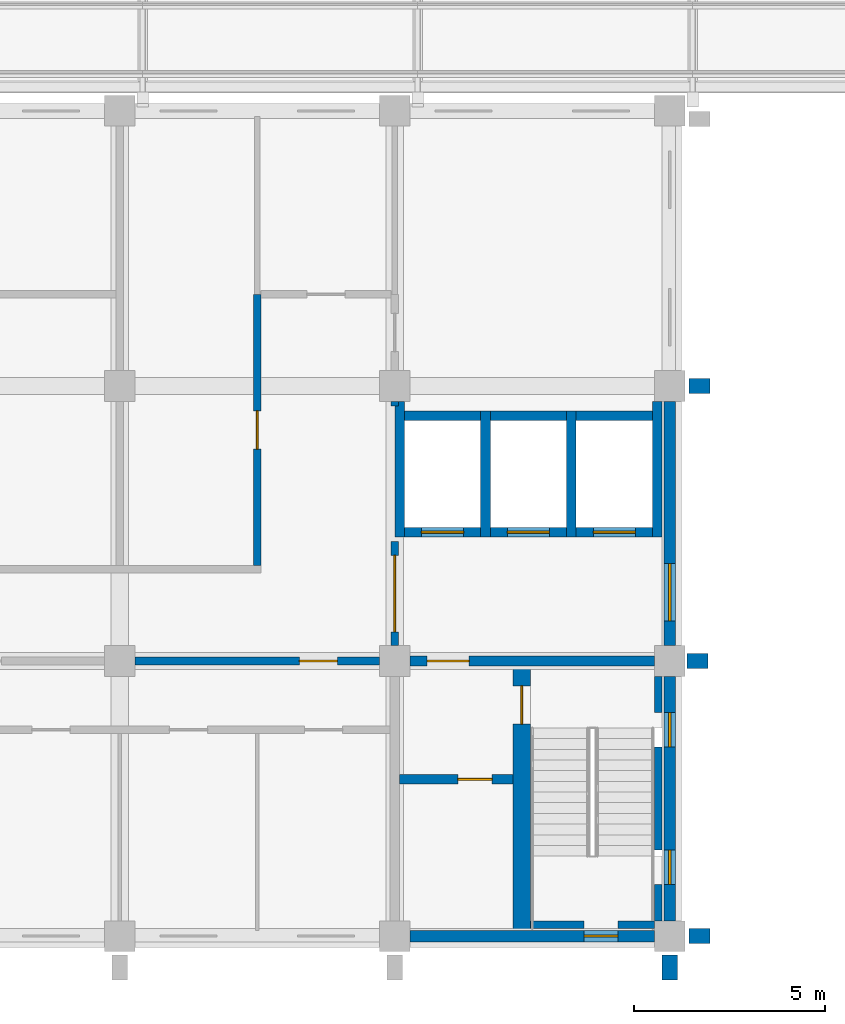
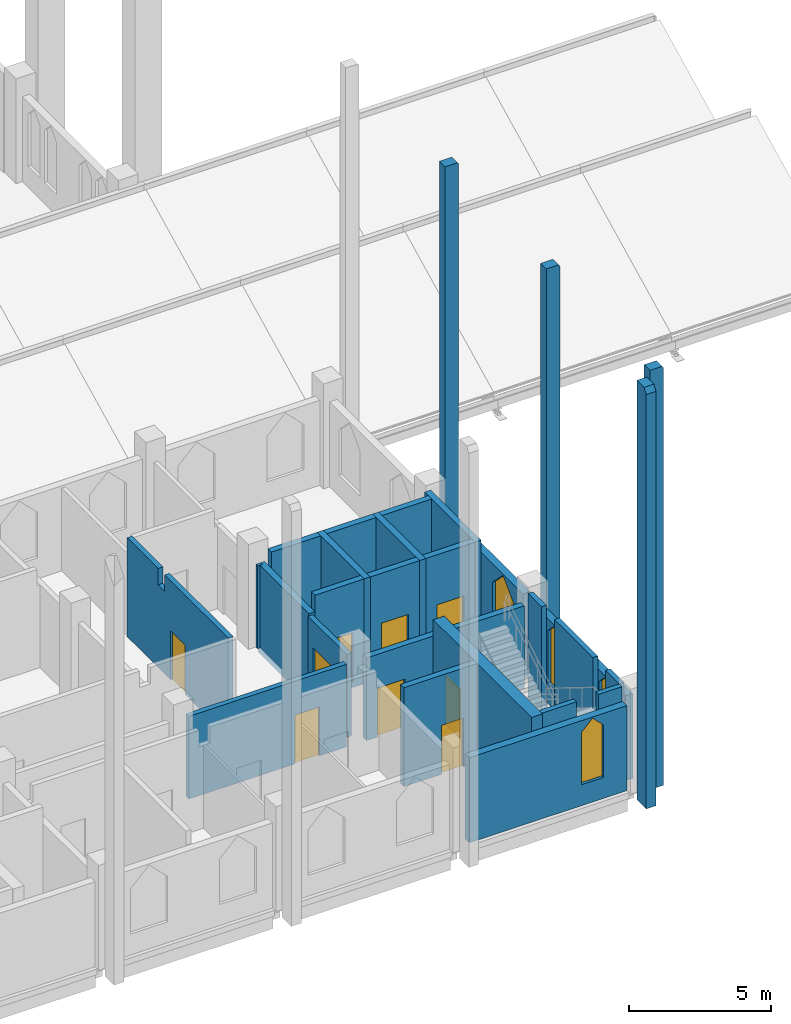
# One storey, part 19 of 29: 29 walls, 9 doors, 4 windows, 13 openings.
"""IFC4 building model written with IfcOpenShell, lengths in metres."""

from ifc_helpers import new_model, si_unit, direction, frame, frame_2d, origin, place, context, subcontext, project, spatial, polyline, rectangle, outline, extrude, material, layer, layer_set, type_object, element, fill, save


model = new_model("IFC4")

# Units and contexts
model_context = context("Model", 3, precision=1e-05, world=origin(), true_north=direction((0.0, 1.0)))
body_context = subcontext(model_context, "Body", "Model", "MODEL_VIEW")
ifc_project = project(units=[si_unit("LENGTHUNIT", "METRE"), si_unit("AREAUNIT", "SQUARE_METRE"), si_unit("VOLUMEUNIT", "CUBIC_METRE"), si_unit("PLANEANGLEUNIT", "RADIAN"), si_unit("MASSUNIT", "GRAM", prefix="KILO")], contexts=[model_context])

# Site, building, storey
site_placement = place(None, origin())
site = spatial("IfcSite", under=ifc_project, at=site_placement, CompositionType="ELEMENT")
building_placement = place(site_placement, origin())
building = spatial("IfcBuilding", under=site, at=building_placement, Name="Silangan Lancet Faculty of Sciences", CompositionType="ELEMENT")
storey_placement = place(building_placement, frame((0.0, 0.0, 40.800048828125)))
storey = spatial("IfcBuildingStorey", under=building, at=storey_placement, Name="L08", CompositionType="ELEMENT", Elevation=40.800048828125)

# Wall, opening, window
ifc_material_1 = material(Name="Concrete C40/50 precast", Category="concrete")
ifc_layer_1 = layer(ifc_material_1, 0.300048828125)
ifc_layer_set_1 = layer_set([ifc_layer_1], Name="Concrete C40/50 precast")
wall_type_1 = type_object("IfcWallType", Name="EW1 Precast cladding wall", PredefinedType="STANDARD", material=ifc_layer_set_1)
wall_1_placement = place(storey_placement, frame((28.800048828125, 7.60009765625, 0.0), z_axis=(0.0, 0.0, 1.0), x_axis=(0.0, 1.0, 0.0)))
wall_1 = element("IfcWall", 1, at=wall_1_placement, inside=storey, type_object=wall_type_1, Name="EW-L08-E-ST-01", PredefinedType="STANDARD", context=body_context, shape_type="SweptSolid", body=[
    extrude(rectangle(XDim=6.39990234375, YDim=0.300048828125, at=frame_2d((3.199951171875, 0.0))), origin(), (0.0, 0.0, 1.0), 3.64990234375),
])
opening_1_placement = place(wall_1_placement, frame((0.64990234375, 0.0, 0.89990234375)))
opening_1 = element("IfcOpeningElement", 2, at=opening_1_placement, cuts=wall_1, Name="Opening W23", PredefinedType="OPENING", context=body_context, shape_type="SweptSolid", body=[
    extrude(outline(polyline([(0.0, 0.0), (1.5, 0.0), (1.5, 1.949951171875), (0.75, 2.699951171875), (0.0, 1.949951171875), (0.0, 0.0)])), frame((0.0, 0.159912109375, 0.0), z_axis=(0.0, -1.0, 0.0), x_axis=(1.0, 0.0, 0.0)), (0.0, 0.0, 1.0), 0.320068359375),
])
ifc_material_2 = material(Name="Aluminium frame, laminated double glazing", Category="aluminium")
window_type_1 = type_object("IfcWindowType", Name="W23 Lancet window 1500 x 2700", PartitioningType="SINGLE_PANEL", PredefinedType="WINDOW", material=ifc_material_2)
window_1_placement = place(opening_1_placement, origin())
window_1 = element("IfcWindow", 3, at=window_1_placement, inside=storey, type_object=window_type_1, Name="WIN-L08-E-ST-01a", OverallHeight=2.699951171875, OverallWidth=1.5, PartitioningType="SINGLE_PANEL", PredefinedType="WINDOW", context=body_context, shape_type="SweptSolid", body=[
    extrude(outline(polyline([(0.0, 0.0), (1.5, 0.0), (1.5, 1.949951171875), (0.75, 2.699951171875), (0.0, 1.949951171875), (0.0, 0.0)])), frame((0.0, 0.030029296875, 0.0), z_axis=(0.0, -1.0, 0.0), x_axis=(1.0, 0.0, 0.0)), (0.0, 0.0, 1.0), 0.06005859375),
])
fill(opening_1, window_1)

ifc_material_3 = material(Name="Concrete C40/50 precast", Category="concrete")
ifc_layer_2 = layer(ifc_material_3, 0.300048828125)
ifc_layer_set_2 = layer_set([ifc_layer_2], Name="Concrete C40/50 precast")
wall_type_2 = type_object("IfcWallType", Name="EW2 Turret enclosure wall", PredefinedType="STANDARD", material=ifc_layer_set_2)
wall_2_placement = place(storey_placement, frame((22.0, 0.0, 0.0), z_axis=(0.0, 0.0, 1.0), x_axis=(1.0, 0.0, 0.0)))
wall_2 = element("IfcWall", 4, at=wall_2_placement, inside=storey, type_object=wall_type_2, Name="EW-L08-S-ST-03", PredefinedType="STANDARD", context=body_context, shape_type="SweptSolid", body=[
    extrude(rectangle(XDim=6.39990234375, YDim=0.300048828125, at=frame_2d((3.199951171875, 0.0))), origin(), (0.0, 0.0, 1.0), 3.64990234375),
])
opening_2_placement = place(wall_2_placement, frame((4.550048828125, 0.0, 0.89990234375)))
opening_2 = element("IfcOpeningElement", 5, at=opening_2_placement, cuts=wall_2, Name="Opening W22", PredefinedType="OPENING", context=body_context, shape_type="SweptSolid", body=[
    extrude(outline(polyline([(0.0, 0.0), (0.89990234375, 0.0), (0.89990234375, 2.25), (0.449951171875, 2.699951171875), (0.0, 2.25), (0.0, 0.0)])), frame((0.0, 0.159912109375, 0.0), z_axis=(0.0, -1.0, 0.0), x_axis=(1.0, 0.0, 0.0)), (0.0, 0.0, 1.0), 0.320068359375),
])
ifc_material_4 = material(Name="Aluminium frame, laminated double glazing", Category="aluminium")
window_type_2 = type_object("IfcWindowType", Name="W22 Lancet window 900 x 2700", PartitioningType="SINGLE_PANEL", PredefinedType="WINDOW", material=ifc_material_4)
window_2_placement = place(opening_2_placement, origin())
window_2 = element("IfcWindow", 6, at=window_2_placement, inside=storey, type_object=window_type_2, Name="WIN-L08-S-ST-03b", OverallHeight=2.699951171875, OverallWidth=0.89990234375, PartitioningType="SINGLE_PANEL", PredefinedType="WINDOW", context=body_context, shape_type="SweptSolid", body=[
    extrude(outline(polyline([(0.0, 0.0), (0.89990234375, 0.0), (0.89990234375, 2.25), (0.449951171875, 2.699951171875), (0.0, 2.25), (0.0, 0.0)])), frame((0.0, 0.030029296875, 0.0), z_axis=(0.0, -1.0, 0.0), x_axis=(1.0, 0.0, 0.0)), (0.0, 0.0, 1.0), 0.06005859375),
])
fill(opening_2, window_2)

# Wall, openings, windows
wall_3_placement = place(storey_placement, frame((28.800048828125, 0.39990234375, 0.0), z_axis=(0.0, 0.0, 1.0), x_axis=(0.0, 1.0, 0.0)))
wall_3 = element("IfcWall", 7, at=wall_3_placement, inside=storey, type_object=wall_type_2, Name="EW-L08-E-ST-00", PredefinedType="STANDARD", context=body_context, shape_type="SweptSolid", body=[
    extrude(rectangle(XDim=6.400146484375, YDim=0.300048828125, at=frame_2d((3.2001953125, 0.0))), origin(), (0.0, 0.0, 1.0), 3.64990234375),
])
opening_3_placement = place(wall_3_placement, frame((0.949951171875, 0.0, 0.89990234375)))
opening_3 = element("IfcOpeningElement", 8, at=opening_3_placement, cuts=wall_3, Name="Opening W22", PredefinedType="OPENING", context=body_context, shape_type="SweptSolid", body=[
    extrude(outline(polyline([(0.0, 0.0), (0.89990234375, 0.0), (0.89990234375, 2.25), (0.449951171875, 2.699951171875), (0.0, 2.25), (0.0, 0.0)])), frame((0.0, 0.159912109375, 0.0), z_axis=(0.0, -1.0, 0.0), x_axis=(1.0, 0.0, 0.0)), (0.0, 0.0, 1.0), 0.320068359375),
])
opening_4_placement = place(wall_3_placement, frame((4.550048828125, 0.0, 0.89990234375)))
opening_4 = element("IfcOpeningElement", 9, at=opening_4_placement, cuts=wall_3, Name="Opening W22", PredefinedType="OPENING", context=body_context, shape_type="SweptSolid", body=[
    extrude(outline(polyline([(0.0, 0.0), (0.89990234375, 0.0), (0.89990234375, 2.25), (0.449951171875, 2.699951171875), (0.0, 2.25), (0.0, 0.0)])), frame((0.0, 0.159912109375, 0.0), z_axis=(0.0, -1.0, 0.0), x_axis=(1.0, 0.0, 0.0)), (0.0, 0.0, 1.0), 0.320068359375),
])
window_3_placement = place(opening_3_placement, origin())
window_3 = element("IfcWindow", 10, at=window_3_placement, inside=storey, type_object=window_type_2, Name="WIN-L08-E-ST-00a", OverallHeight=2.699951171875, OverallWidth=0.89990234375, PartitioningType="SINGLE_PANEL", PredefinedType="WINDOW", context=body_context, shape_type="SweptSolid", body=[
    extrude(outline(polyline([(0.0, 0.0), (0.89990234375, 0.0), (0.89990234375, 2.25), (0.449951171875, 2.699951171875), (0.0, 2.25), (0.0, 0.0)])), frame((0.0, 0.030029296875, 0.0), z_axis=(0.0, -1.0, 0.0), x_axis=(1.0, 0.0, 0.0)), (0.0, 0.0, 1.0), 0.06005859375),
])
fill(opening_3, window_3)
window_4_placement = place(opening_4_placement, origin())
window_4 = element("IfcWindow", 11, at=window_4_placement, inside=storey, type_object=window_type_2, Name="WIN-L08-E-ST-00b", OverallHeight=2.699951171875, OverallWidth=0.89990234375, PartitioningType="SINGLE_PANEL", PredefinedType="WINDOW", context=body_context, shape_type="SweptSolid", body=[
    extrude(outline(polyline([(0.0, 0.0), (0.89990234375, 0.0), (0.89990234375, 2.25), (0.449951171875, 2.699951171875), (0.0, 2.25), (0.0, 0.0)])), frame((0.0, 0.030029296875, 0.0), z_axis=(0.0, -1.0, 0.0), x_axis=(1.0, 0.0, 0.0)), (0.0, 0.0, 1.0), 0.06005859375),
])
fill(opening_4, window_4)

# Walls
ifc_material_5 = material(Name="Concrete C40/50 precast", Category="concrete")
ifc_layer_3 = layer(ifc_material_5, 0.39990234375)
ifc_layer_set_3 = layer_set([ifc_layer_3], Name="Concrete C40/50 precast")
wall_type_3 = type_object("IfcWallType", Name="FN12 Buttress Fin column line stage 3 18000", PredefinedType="POLYGONAL", material=ifc_layer_set_3)
wall_4_placement = place(storey_placement, frame((28.800048828125, -0.5, -0.25), z_axis=(0.0, 0.0, 1.0), x_axis=(0.0, -1.0, 0.0)))
element("IfcWall", 12, at=wall_4_placement, inside=storey, type_object=wall_type_3, Name="FINC-S-SAB-01-S3", PredefinedType="POLYGONAL", context=body_context, shape_type="SweptSolid", body=[
    extrude(outline(polyline([(0.64990234375, 0.0), (0.64990234375, 17.77490234375), (0.5, 18.0), (0.0, 18.0), (0.0, 0.0), (0.64990234375, 0.0)])), frame((0.0, 0.199951171875, 0.0), z_axis=(0.0, -1.0, 0.0), x_axis=(1.0, 0.0, 0.0)), (0.0, 0.0, 1.0), 0.39990234375),
])
ifc_material_6 = material(Name="Concrete C40/50 precast", Category="concrete")
ifc_layer_4 = layer(ifc_material_6, 0.39990234375)
ifc_layer_set_4 = layer_set([ifc_layer_4], Name="Concrete C40/50 precast")
wall_type_4 = type_object("IfcWallType", Name="FN37 Buttress Fin column line stage 3 18000", PredefinedType="POLYGONAL", material=ifc_layer_set_4)
for number, where, z_axis, x_axis, name in (
    (13, (29.300048828125, 0.0, -0.25), (0.0, 0.0, 1.0), (1.0, 0.0, 0.0), "FINC-E-ST-01-S3"),
    (14, (29.300048828125, 14.39990234375, -0.25), (0.0, 0.0, 1.0), (1.0, 0.0, 0.0), "FINC-E-ST-03-S3"),
):
    element("IfcWall", number, at=place(storey_placement, frame(where, z_axis=z_axis, x_axis=x_axis)), inside=storey, type_object=wall_type_4, Name=name, PredefinedType="POLYGONAL", context=body_context, shape_type="SweptSolid", body=[
        extrude(outline(polyline([(0.550048828125, 0.0), (0.550048828125, 17.925048828125), (0.5, 18.0), (0.0, 18.0), (0.0, 0.0), (0.550048828125, 0.0)])), frame((0.0, 0.199951171875, 0.0), z_axis=(0.0, -1.0, 0.0), x_axis=(1.0, 0.0, 0.0)), (0.0, 0.0, 1.0), 0.39990234375),
    ])
ifc_material_7 = material(Name="Concrete C40/50 precast", Category="concrete")
ifc_layer_5 = layer(ifc_material_7, 0.39990234375)
ifc_layer_set_5 = layer_set([ifc_layer_5], Name="Concrete C40/50 precast")
wall_type_5 = type_object("IfcWallType", Name="FN40 Buttress Fin column line stage 3 18000", PredefinedType="POLYGONAL", material=ifc_layer_set_5)
wall_5_placement = place(storey_placement, frame((29.25, 7.199951171875, -0.25), z_axis=(0.0, 0.0, 1.0), x_axis=(1.0, 0.0, 0.0)))
element("IfcWall", 15, at=wall_5_placement, inside=storey, type_object=wall_type_5, Name="FINC-E-ST-02-S3", PredefinedType="POLYGONAL", context=body_context, shape_type="SweptSolid", body=[
    extrude(outline(polyline([(0.550048828125, 0.0), (0.550048828125, 17.925048828125), (0.5, 18.0), (0.0, 18.0), (0.0, 0.0), (0.550048828125, 0.0)])), frame((0.0, 0.199951171875, 0.0), z_axis=(0.0, -1.0, 0.0), x_axis=(1.0, 0.0, 0.0)), (0.0, 0.0, 1.0), 0.39990234375),
])

# Wall, opening, door
ifc_material_8 = material(Name="Hollow block masonry fm 7 MPa", Category="masonry")
ifc_layer_6 = layer(ifc_material_8, 0.199951171875)
ifc_layer_set_6 = layer_set([ifc_layer_6], Name="Hollow block masonry fm 7 MPa")
wall_type_6 = type_object("IfcWallType", Name="Interior wall PW1 Corridor wall CHB 200", PredefinedType="PARTITIONING", material=ifc_layer_set_6)
wall_6_placement = place(storey_placement, frame((14.800048828125, 7.199951171875, 0.0), z_axis=(0.0, 0.0, 1.0), x_axis=(1.0, 0.0, 0.0)))
wall_6 = element("IfcWall", 16, at=wall_6_placement, inside=storey, type_object=wall_type_6, Name="Corridor wall CHB 200", PredefinedType="PARTITIONING", context=body_context, shape_type="SweptSolid", body=[
    extrude(rectangle(XDim=6.39990234375, YDim=0.199951171875, at=frame_2d((3.199951171875, 0.0))), origin(), (0.0, 0.0, 1.0), 3.550048828125),
])
opening_5_placement = place(wall_6_placement, frame((4.300048828125, 0.0, 0.0)))
opening_5 = element("IfcOpeningElement", 17, at=opening_5_placement, cuts=wall_6, Name="Opening L08-003", PredefinedType="OPENING", context=body_context, shape_type="SweptSolid", body=[
    extrude(rectangle(XDim=1.0, YDim=2.10009765625, at=frame_2d((0.5, 1.050048828125))), frame((0.0, 0.10986328125, 0.0), z_axis=(0.0, -1.0, 0.0), x_axis=(1.0, 0.0, 0.0)), (0.0, 0.0, 1.0), 0.219970703125),
])
ifc_material_9 = material(Name="Steel fire door set", Category="steel")
door_type_1 = type_object("IfcDoorType", Name="Door D1 Single leaf fire door 1000 x 2100", OperationType="SINGLE_SWING_LEFT", PredefinedType="DOOR", material=ifc_material_9)
door_1_placement = place(opening_5_placement, frame((1.0, 0.0, 0.0), z_axis=(0.0, 0.0, 1.0), x_axis=(-1.0, 0.0, 0.0)))
door_1 = element("IfcDoor", 18, at=door_1_placement, inside=storey, type_object=door_type_1, Name="Single leaf fire door 1000 x 2100", OperationType="SINGLE_SWING_LEFT", OverallHeight=2.10009765625, OverallWidth=1.0, PredefinedType="DOOR", context=body_context, shape_type="SweptSolid", body=[
    extrude(rectangle(XDim=1.0, YDim=2.10009765625, at=frame_2d((0.5, 1.050048828125))), frame((0.0, 0.025146484375, 0.0), z_axis=(0.0, -1.0, 0.0), x_axis=(1.0, 0.0, 0.0)), (0.0, 0.0, 1.0), 0.050048828125),
])
fill(opening_5, door_1)

wall_7_placement = place(storey_placement, frame((18.0, 9.699951171875, 0.0), z_axis=(0.0, 0.0, 1.0), x_axis=(0.0, 1.0, 0.0)))
wall_7 = element("IfcWall", 19, at=wall_7_placement, inside=storey, type_object=wall_type_6, Name="Corridor wall CHB 200", PredefinedType="PARTITIONING", context=body_context, shape_type="SweptSolid", body=[
    extrude(outline(polyline([(0.0, 0.0), (7.10009765625, 0.0), (7.10009765625, 4.25), (4.925048828125, 4.25), (4.925048828125, 3.550048828125), (4.47509765625, 3.550048828125), (4.47509765625, 4.25), (0.0, 4.25), (0.0, 0.0)])), frame((0.0, 0.10009765625, 0.0), z_axis=(0.0, -1.0, 0.0), x_axis=(1.0, 0.0, 0.0)), (0.0, 0.0, 1.0), 0.199951171875),
])
opening_6_placement = place(wall_7_placement, frame((3.050048828125, 0.0, 0.0)))
opening_6 = element("IfcOpeningElement", 20, at=opening_6_placement, cuts=wall_7, Name="Opening L08-017", PredefinedType="OPENING", context=body_context, shape_type="SweptSolid", body=[
    extrude(rectangle(XDim=1.0, YDim=2.10009765625, at=frame_2d((0.5, 1.050048828125))), frame((0.0, 0.10986328125, 0.0), z_axis=(0.0, -1.0, 0.0), x_axis=(1.0, 0.0, 0.0)), (0.0, 0.0, 1.0), 0.219970703125),
])
door_2_placement = place(opening_6_placement, origin())
door_2 = element("IfcDoor", 21, at=door_2_placement, inside=storey, type_object=door_type_1, Name="Single leaf fire door 1000 x 2100", OperationType="SINGLE_SWING_RIGHT", OverallHeight=2.10009765625, OverallWidth=1.0, PredefinedType="DOOR", context=body_context, shape_type="SweptSolid", body=[
    extrude(rectangle(XDim=1.0, YDim=2.10009765625, at=frame_2d((0.5, 1.050048828125))), frame((0.0, 0.02490234375, 0.0), z_axis=(0.0, -1.0, 0.0), x_axis=(1.0, 0.0, 0.0)), (0.0, 0.0, 1.0), 0.050048828125),
])
fill(opening_6, door_2)

# Wall
wall_8_placement = place(storey_placement, frame((21.60009765625, 13.875, 0.0), z_axis=(0.0, 0.0, 1.0), x_axis=(0.0, 1.0, 0.0)))
element("IfcWall", 22, at=wall_8_placement, inside=storey, type_object=wall_type_6, Name="Corridor wall CHB 200", PredefinedType="PARTITIONING", context=body_context, shape_type="SweptSolid", body=[
    extrude(rectangle(XDim=0.125, YDim=0.199951171875, at=frame_2d((0.0625, 0.0))), origin(), (0.0, 0.0, 1.0), 3.550048828125),
])

# Wall, opening, door
ifc_material_10 = material(Name="Hollow block masonry fm 7 MPa", Category="masonry")
ifc_layer_7 = layer(ifc_material_10, 0.199951171875)
ifc_layer_set_7 = layer_set([ifc_layer_7], Name="Hollow block masonry fm 7 MPa")
wall_type_7 = type_object("IfcWallType", Name="Interior wall PW9 Lift lobby wall CHB 200", PredefinedType="PARTITIONING", material=ifc_layer_set_7)
wall_9_placement = place(storey_placement, frame((21.60009765625, 7.60009765625, 0.0), z_axis=(0.0, 0.0, 1.0), x_axis=(0.0, 1.0, 0.0)))
wall_9 = element("IfcWall", 23, at=wall_9_placement, inside=storey, type_object=wall_type_7, Name="Lift lobby wall CHB 200", PredefinedType="PARTITIONING", context=body_context, shape_type="SweptSolid", body=[
    extrude(rectangle(XDim=2.724853515625, YDim=0.199951171875, at=frame_2d((1.3623046875, 0.0))), origin(), (0.0, 0.0, 1.0), 3.550048828125),
])
opening_7_placement = place(wall_9_placement, frame((0.3623046875, 0.0, 0.0)))
opening_7 = element("IfcOpeningElement", 24, at=opening_7_placement, cuts=wall_9, Name="Opening L08-001", PredefinedType="OPENING", context=body_context, shape_type="SweptSolid", body=[
    extrude(rectangle(XDim=2.0, YDim=2.39990234375, at=frame_2d((1.0, 1.199951171875))), frame((0.0, 0.10986328125, 0.0), z_axis=(0.0, -1.0, 0.0), x_axis=(1.0, 0.0, 0.0)), (0.0, 0.0, 1.0), 0.219970703125),
])
ifc_material_11 = material(Name="Steel fire door set", Category="steel")
door_type_2 = type_object("IfcDoorType", Name="Door D5 Lift lobby double fire door 2000 x 2400", OperationType="DOUBLE_DOOR_SINGLE_SWING", PredefinedType="DOOR", material=ifc_material_11)
door_3_placement = place(opening_7_placement, origin())
door_3 = element("IfcDoor", 25, at=door_3_placement, inside=storey, type_object=door_type_2, Name="Lift lobby double fire door 2000 x 2400", OperationType="DOUBLE_DOOR_SINGLE_SWING", OverallHeight=2.39990234375, OverallWidth=2.0, PredefinedType="DOOR", context=body_context, shape_type="SweptSolid", body=[
    extrude(rectangle(XDim=2.0, YDim=2.39990234375, at=frame_2d((1.0, 1.199951171875))), frame((0.0, 0.02490234375, 0.0), z_axis=(0.0, -1.0, 0.0), x_axis=(1.0, 0.0, 0.0)), (0.0, 0.0, 1.0), 0.050048828125),
])
fill(opening_7, door_3)

# Walls
ifc_material_12 = material(Name="Concrete C40/50", Category="concrete")
ifc_layer_8 = layer(ifc_material_12, 0.25)
ifc_layer_set_8 = layer_set([ifc_layer_8], Name="Concrete C40/50")
wall_type_8 = type_object("IfcWallType", Name="LIFT SHAFT WALL RC 250", PredefinedType="SHEAR", material=ifc_layer_set_8)
wall_10_placement = place(storey_placement, frame((21.72509765625, 10.449951171875, -0.25), z_axis=(0.0, 0.0, 1.0), x_axis=(0.0, 1.0, 0.0)))
element("IfcWall", 26, at=wall_10_placement, inside=storey, type_object=wall_type_8, Name="WALL-L08-ST-SW1", PredefinedType="SHEAR", context=body_context, shape_type="SweptSolid", body=[
    extrude(rectangle(XDim=3.550048828125, YDim=0.25, at=frame_2d((1.77490234375, 0.0))), origin(), (0.0, 0.0, 1.0), 3.800048828125),
])
for number, where, z_axis, x_axis, name in (
    (27, (23.97509765625, 10.449951171875, -0.25), (0.0, 0.0, 1.0), (0.0, 1.0, 0.0), "WALL-L08-ST-SW2"),
    (28, (26.22509765625, 10.449951171875, -0.25), (0.0, 0.0, 1.0), (0.0, 1.0, 0.0), "WALL-L08-ST-SW3"),
):
    element("IfcWall", number, at=place(storey_placement, frame(where, z_axis=z_axis, x_axis=x_axis)), inside=storey, type_object=wall_type_8, Name=name, PredefinedType="SHEAR", context=body_context, shape_type="SweptSolid", body=[
        extrude(rectangle(XDim=3.300048828125, YDim=0.25, at=frame_2d((1.64990234375, 0.0))), origin(), (0.0, 0.0, 1.0), 4.5),
    ])
wall_11_placement = place(storey_placement, frame((28.47509765625, 10.449951171875, -0.25), z_axis=(0.0, 0.0, 1.0), x_axis=(0.0, 1.0, 0.0)))
element("IfcWall", 29, at=wall_11_placement, inside=storey, type_object=wall_type_8, Name="WALL-L08-ST-SW4", PredefinedType="SHEAR", context=body_context, shape_type="SweptSolid", body=[
    extrude(rectangle(XDim=3.550048828125, YDim=0.25, at=frame_2d((1.77490234375, 0.0))), origin(), (0.0, 0.0, 1.0), 4.5),
])

# Wall, opening, door
wall_12_placement = place(storey_placement, frame((21.85009765625, 10.574951171875, -0.25), z_axis=(0.0, 0.0, 1.0), x_axis=(1.0, 0.0, 0.0)))
wall_12 = element("IfcWall", 30, at=wall_12_placement, inside=storey, type_object=wall_type_8, Name="WALL-L08-ST-L1-F", PredefinedType="SHEAR", context=body_context, shape_type="SweptSolid", body=[
    extrude(rectangle(XDim=2.0, YDim=0.25, at=frame_2d((1.0, 0.0))), origin(), (0.0, 0.0, 1.0), 4.5),
])
opening_8_placement = place(wall_12_placement, frame((0.449951171875, 0.0, 0.25)))
opening_8 = element("IfcOpeningElement", 31, at=opening_8_placement, cuts=wall_12, Name="Opening L08-804", PredefinedType="OPENING", context=body_context, shape_type="SweptSolid", body=[
    extrude(rectangle(XDim=1.10009765625, YDim=2.10009765625, at=frame_2d((0.550048828125, 1.050048828125))), frame((0.0, 0.135009765625, 0.0), z_axis=(0.0, -1.0, 0.0), x_axis=(1.0, 0.0, 0.0)), (0.0, 0.0, 1.0), 0.27001953125),
])
ifc_material_13 = material(Name="Stainless steel sliding door", Category="steel")
door_type_3 = type_object("IfcDoorType", Name="LD1 Lift landing door 1100x2100", OperationType="SLIDING_TO_LEFT", PredefinedType="DOOR", material=ifc_material_13)
door_4_placement = place(opening_8_placement, origin())
door_4 = element("IfcDoor", 32, at=door_4_placement, inside=storey, type_object=door_type_3, Name="Landing door ST-L1 L08", OperationType="SLIDING_TO_LEFT", OverallHeight=2.10009765625, OverallWidth=1.10009765625, PredefinedType="DOOR", context=body_context, shape_type="SweptSolid", body=[
    extrude(rectangle(XDim=1.10009765625, YDim=2.10009765625, at=frame_2d((0.550048828125, 1.050048828125))), frame((0.0, 0.02490234375, 0.0), z_axis=(0.0, -1.0, 0.0), x_axis=(1.0, 0.0, 0.0)), (0.0, 0.0, 1.0), 0.050048828125),
])
fill(opening_8, door_4)

# Wall
wall_13_placement = place(storey_placement, frame((21.85009765625, 13.625, -0.25), z_axis=(0.0, 0.0, 1.0), x_axis=(1.0, 0.0, 0.0)))
element("IfcWall", 33, at=wall_13_placement, inside=storey, type_object=wall_type_8, Name="WALL-L08-ST-L1-B", PredefinedType="SHEAR", context=body_context, shape_type="SweptSolid", body=[
    extrude(rectangle(XDim=2.0, YDim=0.25, at=frame_2d((1.0, 0.0))), origin(), (0.0, 0.0, 1.0), 4.5),
])

# Wall, opening, door
wall_14_placement = place(storey_placement, frame((24.10009765625, 10.574951171875, -0.25), z_axis=(0.0, 0.0, 1.0), x_axis=(1.0, 0.0, 0.0)))
wall_14 = element("IfcWall", 34, at=wall_14_placement, inside=storey, type_object=wall_type_8, Name="WALL-L08-ST-L2-F", PredefinedType="SHEAR", context=body_context, shape_type="SweptSolid", body=[
    extrude(rectangle(XDim=2.0, YDim=0.25, at=frame_2d((1.0, 0.0))), origin(), (0.0, 0.0, 1.0), 4.5),
])
opening_9_placement = place(wall_14_placement, frame((0.449951171875, 0.0, 0.25)))
opening_9 = element("IfcOpeningElement", 35, at=opening_9_placement, cuts=wall_14, Name="Opening L08-805", PredefinedType="OPENING", context=body_context, shape_type="SweptSolid", body=[
    extrude(rectangle(XDim=1.10009765625, YDim=2.10009765625, at=frame_2d((0.550048828125, 1.050048828125))), frame((0.0, 0.135009765625, 0.0), z_axis=(0.0, -1.0, 0.0), x_axis=(1.0, 0.0, 0.0)), (0.0, 0.0, 1.0), 0.27001953125),
])
door_5_placement = place(opening_9_placement, origin())
door_5 = element("IfcDoor", 36, at=door_5_placement, inside=storey, type_object=door_type_3, Name="Landing door ST-L2 L08", OperationType="SLIDING_TO_LEFT", OverallHeight=2.10009765625, OverallWidth=1.10009765625, PredefinedType="DOOR", context=body_context, shape_type="SweptSolid", body=[
    extrude(rectangle(XDim=1.10009765625, YDim=2.10009765625, at=frame_2d((0.550048828125, 1.050048828125))), frame((0.0, 0.02490234375, 0.0), z_axis=(0.0, -1.0, 0.0), x_axis=(1.0, 0.0, 0.0)), (0.0, 0.0, 1.0), 0.050048828125),
])
fill(opening_9, door_5)

# Wall
wall_15_placement = place(storey_placement, frame((24.10009765625, 13.625, -0.25), z_axis=(0.0, 0.0, 1.0), x_axis=(1.0, 0.0, 0.0)))
element("IfcWall", 37, at=wall_15_placement, inside=storey, type_object=wall_type_8, Name="WALL-L08-ST-L2-B", PredefinedType="SHEAR", context=body_context, shape_type="SweptSolid", body=[
    extrude(rectangle(XDim=2.0, YDim=0.25, at=frame_2d((1.0, 0.0))), origin(), (0.0, 0.0, 1.0), 4.5),
])

# Wall, opening, door
wall_16_placement = place(storey_placement, frame((26.35009765625, 10.574951171875, -0.25), z_axis=(0.0, 0.0, 1.0), x_axis=(1.0, 0.0, 0.0)))
wall_16 = element("IfcWall", 38, at=wall_16_placement, inside=storey, type_object=wall_type_8, Name="WALL-L08-ST-L3-F", PredefinedType="SHEAR", context=body_context, shape_type="SweptSolid", body=[
    extrude(rectangle(XDim=2.0, YDim=0.25, at=frame_2d((1.0, 0.0))), origin(), (0.0, 0.0, 1.0), 4.5),
])
opening_10_placement = place(wall_16_placement, frame((0.449951171875, 0.0, 0.25)))
opening_10 = element("IfcOpeningElement", 39, at=opening_10_placement, cuts=wall_16, Name="Opening L08-806", PredefinedType="OPENING", context=body_context, shape_type="SweptSolid", body=[
    extrude(rectangle(XDim=1.10009765625, YDim=2.10009765625, at=frame_2d((0.550048828125, 1.050048828125))), frame((0.0, 0.135009765625, 0.0), z_axis=(0.0, -1.0, 0.0), x_axis=(1.0, 0.0, 0.0)), (0.0, 0.0, 1.0), 0.27001953125),
])
door_6_placement = place(opening_10_placement, origin())
door_6 = element("IfcDoor", 40, at=door_6_placement, inside=storey, type_object=door_type_3, Name="Landing door ST-L3 L08", OperationType="SLIDING_TO_LEFT", OverallHeight=2.10009765625, OverallWidth=1.10009765625, PredefinedType="DOOR", context=body_context, shape_type="SweptSolid", body=[
    extrude(rectangle(XDim=1.10009765625, YDim=2.10009765625, at=frame_2d((0.550048828125, 1.050048828125))), frame((0.0, 0.02490234375, 0.0), z_axis=(0.0, -1.0, 0.0), x_axis=(1.0, 0.0, 0.0)), (0.0, 0.0, 1.0), 0.050048828125),
])
fill(opening_10, door_6)

# Wall
wall_17_placement = place(storey_placement, frame((26.35009765625, 13.625, -0.25), z_axis=(0.0, 0.0, 1.0), x_axis=(1.0, 0.0, 0.0)))
element("IfcWall", 41, at=wall_17_placement, inside=storey, type_object=wall_type_8, Name="WALL-L08-ST-L3-B", PredefinedType="SHEAR", context=body_context, shape_type="SweptSolid", body=[
    extrude(rectangle(XDim=2.0, YDim=0.25, at=frame_2d((1.0, 0.0))), origin(), (0.0, 0.0, 1.0), 4.5),
])

# Wall, opening, door
ifc_material_14 = material(Name="Concrete C40/50", Category="concrete")
ifc_layer_9 = layer(ifc_material_14, 0.449951171875)
ifc_layer_set_9 = layer_set([ifc_layer_9], Name="Concrete C40/50")
wall_type_9 = type_object("IfcWallType", Name="TURRET CORE WALL RC 450", PredefinedType="SHEAR", material=ifc_layer_set_9)
wall_18_placement = place(storey_placement, frame((24.925048828125, 0.14990234375, 0.0), z_axis=(0.0, 0.0, 1.0), x_axis=(0.0, 1.0, 0.0)))
wall_18 = element("IfcWall", 42, at=wall_18_placement, inside=storey, type_object=wall_type_9, Name="WALL-L08-ST-B-WELL", PredefinedType="SHEAR", context=body_context, shape_type="SweptSolid", body=[
    extrude(rectangle(XDim=6.925048828125, YDim=0.449951171875, at=frame_2d((3.46240234375, 0.0))), origin(), (0.0, 0.0, 1.0), 4.25),
])
opening_11_placement = place(wall_18_placement, frame((5.39990234375, 0.0, 0.0)))
opening_11 = element("IfcOpeningElement", 43, at=opening_11_placement, cuts=wall_18, Name="Opening L08-710", PredefinedType="OPENING", context=body_context, shape_type="SweptSolid", body=[
    extrude(rectangle(XDim=1.0, YDim=2.10009765625, at=frame_2d((0.5, 1.050048828125))), frame((0.0, 0.23486328125, 0.0), z_axis=(0.0, -1.0, 0.0), x_axis=(1.0, 0.0, 0.0)), (0.0, 0.0, 1.0), 0.469970703125),
])
ifc_material_15 = material(Name="Steel fire door set", Category="steel")
door_type_4 = type_object("IfcDoorType", Name="D71 Stair enclosure door 1000x2100", OperationType="SINGLE_SWING_LEFT", PredefinedType="DOOR", material=ifc_material_15)
door_7_placement = place(opening_11_placement, frame((1.0, 0.0, 0.0), z_axis=(0.0, 0.0, 1.0), x_axis=(-1.0, 0.0, 0.0)))
door_7 = element("IfcDoor", 44, at=door_7_placement, inside=storey, type_object=door_type_4, Name="Stair enclosure door ST-B L08", OperationType="SINGLE_SWING_LEFT", OverallHeight=2.10009765625, OverallWidth=1.0, PredefinedType="DOOR", context=body_context, shape_type="SweptSolid", body=[
    extrude(rectangle(XDim=1.0, YDim=2.10009765625, at=frame_2d((0.5, 1.050048828125))), frame((0.0, 0.025146484375, 0.0), z_axis=(0.0, -1.0, 0.0), x_axis=(1.0, 0.0, 0.0)), (0.0, 0.0, 1.0), 0.050048828125),
])
fill(opening_11, door_7)

# Walls
ifc_material_16 = material(Name="Concrete C40/50", Category="concrete")
ifc_layer_10 = layer(ifc_material_16, 0.199951171875)
ifc_layer_set_10 = layer_set([ifc_layer_10], Name="Concrete C40/50")
wall_type_10 = type_object("IfcWallType", Name="TURRET LINING WALL RC 200", PredefinedType="SHEAR", material=ifc_layer_set_10)
wall_19_placement = place(storey_placement, frame((28.5, 0.39990234375, -0.25), z_axis=(0.0, 0.0, 1.0), x_axis=(0.0, 1.0, 0.0)))
element("IfcWall", 45, at=wall_19_placement, inside=storey, type_object=wall_type_10, Name="WALL-L08-ST-B-WL", PredefinedType="SHEAR", context=body_context, shape_type="SweptSolid", body=[
    extrude(rectangle(XDim=0.9501953125, YDim=0.199951171875, at=frame_2d((0.47509765625, 0.0))), origin(), (0.0, 0.0, 1.0), 4.5),
])
wall_20_placement = place(storey_placement, frame((28.5, 2.25, -0.25), z_axis=(0.0, 0.0, 1.0), x_axis=(0.0, 1.0, 0.0)))
element("IfcWall", 46, at=wall_20_placement, inside=storey, type_object=wall_type_10, Name="WALL-L08-ST-B-WL-2", PredefinedType="SHEAR", context=body_context, shape_type="SweptSolid", body=[
    extrude(rectangle(XDim=2.699951171875, YDim=0.199951171875, at=frame_2d((1.35009765625, 0.0))), origin(), (0.0, 0.0, 1.0), 4.5),
])
wall_21_placement = place(storey_placement, frame((28.5, 5.85009765625, -0.25), z_axis=(0.0, 0.0, 1.0), x_axis=(0.0, 1.0, 0.0)))
element("IfcWall", 47, at=wall_21_placement, inside=storey, type_object=wall_type_10, Name="WALL-L08-ST-B-WL-3", PredefinedType="SHEAR", context=body_context, shape_type="SweptSolid", body=[
    extrude(rectangle(XDim=0.949951171875, YDim=0.199951171875, at=frame_2d((0.47509765625, 0.0))), origin(), (0.0, 0.0, 1.0), 4.5),
])
wall_22_placement = place(storey_placement, frame((25.14990234375, 0.300048828125, -0.25), z_axis=(0.0, 0.0, 1.0), x_axis=(1.0, 0.0, 0.0)))
element("IfcWall", 48, at=wall_22_placement, inside=storey, type_object=wall_type_10, Name="WALL-L08-ST-B-WLD", PredefinedType="SHEAR", context=body_context, shape_type="SweptSolid", body=[
    extrude(rectangle(XDim=1.400146484375, YDim=0.199951171875, at=frame_2d((0.7001953125, 0.0))), origin(), (0.0, 0.0, 1.0), 4.5),
])
wall_23_placement = place(storey_placement, frame((27.449951171875, 0.300048828125, -0.25), z_axis=(0.0, 0.0, 1.0), x_axis=(1.0, 0.0, 0.0)))
element("IfcWall", 49, at=wall_23_placement, inside=storey, type_object=wall_type_10, Name="WALL-L08-ST-B-WLD-2", PredefinedType="SHEAR", context=body_context, shape_type="SweptSolid", body=[
    extrude(rectangle(XDim=0.949951171875, YDim=0.199951171875, at=frame_2d((0.47509765625, 0.0))), origin(), (0.0, 0.0, 1.0), 4.5),
])

# Wall, opening, door
ifc_material_17 = material(Name="Concrete C40/50", Category="concrete")
ifc_layer_11 = layer(ifc_material_17, 0.25)
ifc_layer_set_11 = layer_set([ifc_layer_11], Name="Concrete C40/50")
wall_type_11 = type_object("IfcWallType", Name="TURRET WALL RC 250", PredefinedType="SHEAR", material=ifc_layer_set_11)
wall_24_placement = place(storey_placement, frame((22.0, 7.199951171875, 0.0), z_axis=(0.0, 0.0, 1.0), x_axis=(1.0, 0.0, 0.0)))
wall_24 = element("IfcWall", 50, at=wall_24_placement, inside=storey, type_object=wall_type_11, Name="WALL-L08-ST-B-V", PredefinedType="SHEAR", context=body_context, shape_type="SweptSolid", body=[
    extrude(rectangle(XDim=6.39990234375, YDim=0.25, at=frame_2d((3.199951171875, 0.0))), origin(), (0.0, 0.0, 1.0), 3.550048828125),
])
opening_12_placement = place(wall_24_placement, frame((0.449951171875, 0.0, 0.0)))
opening_12 = element("IfcOpeningElement", 51, at=opening_12_placement, cuts=wall_24, Name="Opening L08-711", PredefinedType="OPENING", context=body_context, shape_type="SweptSolid", body=[
    extrude(rectangle(XDim=1.10009765625, YDim=2.10009765625, at=frame_2d((0.550048828125, 1.050048828125))), frame((0.0, 0.135009765625, 0.0), z_axis=(0.0, -1.0, 0.0), x_axis=(1.0, 0.0, 0.0)), (0.0, 0.0, 1.0), 0.27001953125),
])
ifc_material_18 = material(Name="Steel fire door set", Category="steel")
door_type_5 = type_object("IfcDoorType", Name="D70 Stair vestibule door 1100x2100", OperationType="SINGLE_SWING_LEFT", PredefinedType="DOOR", material=ifc_material_18)
door_8_placement = place(opening_12_placement, frame((1.10009765625, 0.0, 0.0), z_axis=(0.0, 0.0, 1.0), x_axis=(-1.0, 0.0, 0.0)))
door_8 = element("IfcDoor", 52, at=door_8_placement, inside=storey, type_object=door_type_5, Name="Stair vestibule door ST-B L08", OperationType="SINGLE_SWING_RIGHT", OverallHeight=2.10009765625, OverallWidth=1.10009765625, PredefinedType="DOOR", context=body_context, shape_type="SweptSolid", body=[
    extrude(rectangle(XDim=1.10009765625, YDim=2.10009765625, at=frame_2d((0.550048828125, 1.050048828125))), frame((0.0, 0.025146484375, 0.0), z_axis=(0.0, -1.0, 0.0), x_axis=(1.0, 0.0, 0.0)), (0.0, 0.0, 1.0), 0.050048828125),
])
fill(opening_12, door_8)

wall_25_placement = place(storey_placement, frame((21.72509765625, 4.10009765625, 0.0), z_axis=(0.0, 0.0, 1.0), x_axis=(1.0, 0.0, 0.0)))
wall_25 = element("IfcWall", 53, at=wall_25_placement, inside=storey, type_object=wall_type_11, Name="WALL-L08-ST-B-RISER", PredefinedType="SHEAR", context=body_context, shape_type="SweptSolid", body=[
    extrude(rectangle(XDim=2.974853515625, YDim=0.25, at=frame_2d((1.4873046875, 0.0))), origin(), (0.0, 0.0, 1.0), 4.25),
])
opening_13_placement = place(wall_25_placement, frame((1.52490234375, 0.0, 0.0)))
opening_13 = element("IfcOpeningElement", 54, at=opening_13_placement, cuts=wall_25, Name="Opening L08-712", PredefinedType="OPENING", context=body_context, shape_type="SweptSolid", body=[
    extrude(rectangle(XDim=0.89990234375, YDim=2.10009765625, at=frame_2d((0.449951171875, 1.050048828125))), frame((0.0, 0.135009765625, 0.0), z_axis=(0.0, -1.0, 0.0), x_axis=(1.0, 0.0, 0.0)), (0.0, 0.0, 1.0), 0.27001953125),
])
ifc_material_19 = material(Name="Steel fire door set", Category="steel")
door_type_6 = type_object("IfcDoorType", Name="D72 Riser access door 900x2100", OperationType="SINGLE_SWING_LEFT", PredefinedType="DOOR", material=ifc_material_19)
door_9_placement = place(opening_13_placement, frame((0.89990234375, 0.0, 0.0), z_axis=(0.0, 0.0, 1.0), x_axis=(-1.0, 0.0, 0.0)))
door_9 = element("IfcDoor", 55, at=door_9_placement, inside=storey, type_object=door_type_6, Name="Riser access door ST-B L08", OperationType="SINGLE_SWING_RIGHT", OverallHeight=2.10009765625, OverallWidth=0.89990234375, PredefinedType="DOOR", context=body_context, shape_type="SweptSolid", body=[
    extrude(rectangle(XDim=0.89990234375, YDim=2.10009765625, at=frame_2d((0.449951171875, 1.050048828125))), frame((0.0, 0.025146484375, 0.0), z_axis=(0.0, -1.0, 0.0), x_axis=(1.0, 0.0, 0.0)), (0.0, 0.0, 1.0), 0.050048828125),
])
fill(opening_13, door_9)

save(model, "model.ifc")
